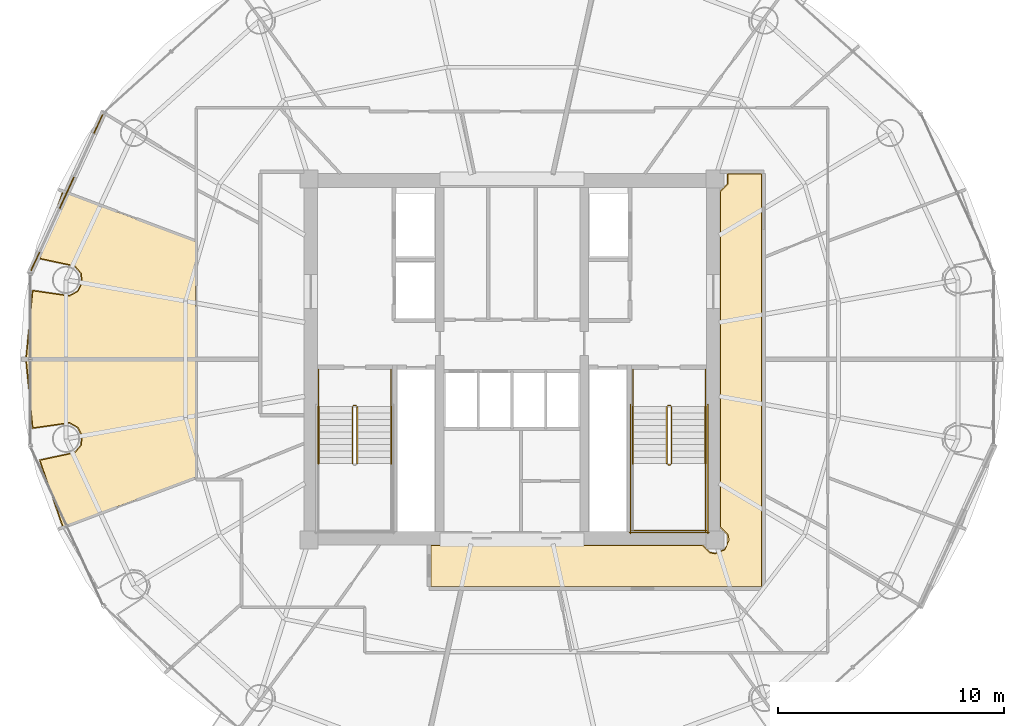
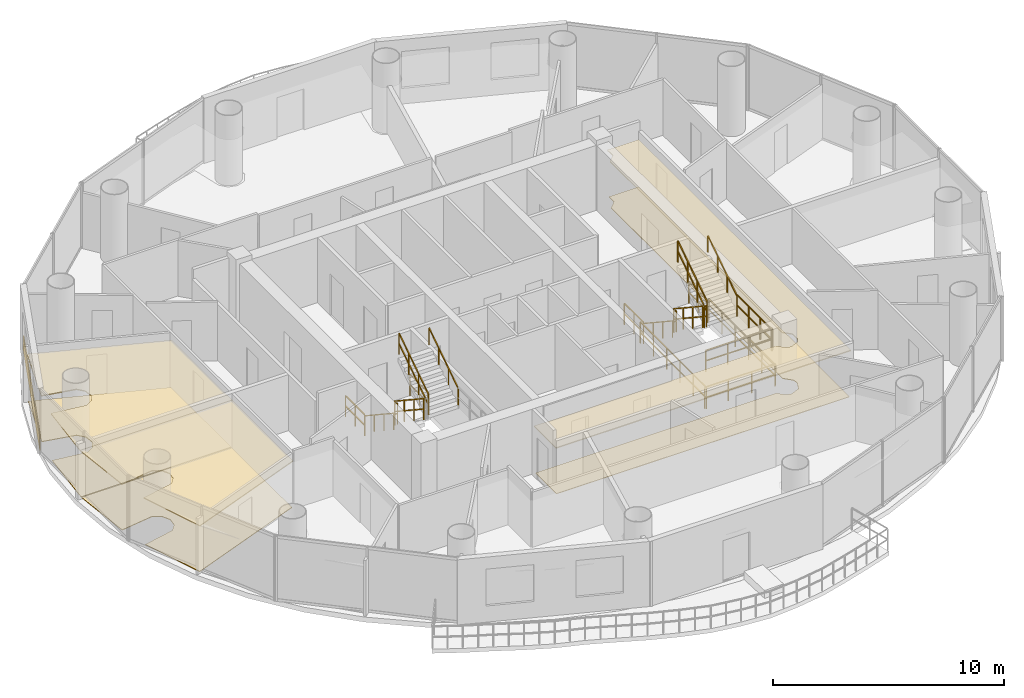
# One storey, part 25 of 26: 20 railings, 7 coverings.
"""IFC4 building model written with IfcOpenShell, lengths in metres."""

from ifc_helpers import new_model, si_unit, direction, frame, origin, origin_2d, place, context, subcontext, project, spatial, polyline, rectangle, outline, extrude, source, transform, mapped, material, layer, layer_set, type_object, element, save


model = new_model("IFC4")

# Units and contexts
model_context = context("Model", 3, precision=1e-05, world=origin(), true_north=direction((-0.2419218956, 0.970295726276)))
body_context = subcontext(model_context, "Body", "Model", "MODEL_VIEW")
ifc_project = project(units=[si_unit("LENGTHUNIT", "METRE"), si_unit("AREAUNIT", "SQUARE_METRE"), si_unit("VOLUMEUNIT", "CUBIC_METRE"), si_unit("PLANEANGLEUNIT", "RADIAN"), si_unit("MASSUNIT", "GRAM", prefix="KILO")], contexts=[model_context])

# Site, building, storey
site_placement = place(None, origin())
site = spatial("IfcSite", under=ifc_project, at=site_placement, CompositionType="ELEMENT")
building_placement = place(site_placement, origin())
building = spatial("IfcBuilding", under=site, at=building_placement, Name="Cobrevalo Terracotta Tower", CompositionType="ELEMENT")
storey_placement = place(building_placement, frame((0.0, 0.0, 220.800048828125)))
storey = spatial("IfcBuildingStorey", under=building, at=storey_placement, Name="L58", CompositionType="ELEMENT", Elevation=220.800048828125)

# Coverings
ifc_material_1 = material(Name="Engineered Brazilian hardwood flooring", Category="wood")
ifc_layer_1 = layer(ifc_material_1, 0.028076171875)
ifc_layer_set_1 = layer_set([ifc_layer_1], Name="Engineered Brazilian hardwood flooring")
covering_type_1 = type_object("IfcCoveringType", Name="Engineered Hardwood Suite Flooring 28", PredefinedType="FLOORING", material=ifc_layer_set_1)
covering_1_placement = place(storey_placement, origin())
element("IfcCovering", 1, at=covering_1_placement, inside=storey, type_object=covering_type_1, Name="Flat L58B Penthouse Family Lounge floor finish", PredefinedType="FLOORING", context=body_context, shape_type="SweptSolid", body=[
    extrude(outline(polyline([(23.985107421875, 32.024658203125), (23.985107421875, 26.820068359375), (16.4814453125, 26.820068359375), (16.7734375, 29.83056640625), (18.39599609375, 29.5986328125), (18.770751953125, 29.80859375), (18.9658203125, 30.191650390625), (18.9150390625, 30.6181640625), (18.635986328125, 30.94482421875), (17.09228515625, 31.277099609375), (18.114501953125, 34.221923828125), (23.985107421875, 32.024658203125)])), origin(), (0.0, 0.0, 1.0), 0.030029296875),
])
covering_2_placement = place(storey_placement, origin())
element("IfcCovering", 2, at=covering_2_placement, inside=storey, type_object=covering_type_1, Name="Flat L58C Living and Dining Room floor finish", PredefinedType="FLOORING", context=body_context, shape_type="SweptSolid", body=[
    extrude(outline(polyline([(18.114501953125, 19.3779296875), (17.09228515625, 22.322998046875), (18.635986328125, 22.655029296875), (18.9150390625, 22.981689453125), (18.9658203125, 23.408447265625), (18.770751953125, 23.791259765625), (18.39599609375, 24.00146484375), (16.7734375, 23.76953125), (16.4814453125, 26.780029296875), (23.985107421875, 26.780029296875), (23.985107421875, 21.575439453125), (18.114501953125, 19.3779296875)])), origin(), (0.0, 0.0, 1.0), 0.030029296875),
])
ifc_material_2 = material(Name="Honed terracotta and granite tile", Category="masonry")
ifc_layer_2 = layer(ifc_material_2, 0.034912109375)
ifc_layer_set_2 = layer_set([ifc_layer_2], Name="Honed terracotta and granite tile")
covering_type_2 = type_object("IfcCoveringType", Name="Honed Terracotta & Granite Interior Flooring 35", PredefinedType="FLOORING", material=ifc_layer_set_2)
covering_3_placement = place(storey_placement, origin())
element("IfcCovering", 3, at=covering_3_placement, inside=storey, type_object=covering_type_2, Name="L58 Residential Floor Corridor 1 floor finish", PredefinedType="FLOORING", context=body_context, shape_type="SweptSolid", body=[
    extrude(outline(polyline([(34.419921875, 18.554931640625), (46.431884765625, 18.554931640625), (46.7626953125, 18.226806640625), (47.0, 18.1796875), (47.438720703125, 18.361328125), (47.620361328125, 18.800048828125), (47.5732421875, 19.037353515625), (47.2451171875, 19.3681640625), (47.2451171875, 34.23193359375), (47.5732421875, 34.5625), (47.57958984375, 35.0048828125), (49.054931640625, 35.0048828125), (49.054931640625, 16.7451171875), (34.419921875, 16.7451171875), (34.419921875, 18.554931640625)])), origin(), (0.0, 0.0, 1.0), 0.030029296875),
])
ifc_material_3 = material(Name="Acoustic perforated gypsum ceiling", Category="gypsum")
ifc_layer_3 = layer(ifc_material_3, 0.050048828125)
ifc_layer_set_3 = layer_set([ifc_layer_3], Name="Acoustic perforated gypsum ceiling")
covering_type_3 = type_object("IfcCoveringType", Name="Perforated Acoustic Gypsum Ceiling 50", PredefinedType="CEILING", material=ifc_layer_set_3)
covering_4_placement = place(storey_placement, frame((0.0, 0.0, 2.445068359375)))
element("IfcCovering", 4, at=covering_4_placement, inside=storey, type_object=covering_type_3, Name="L58 Residential Floor Corridor 1 acoustic ceiling", PredefinedType="CEILING", context=body_context, shape_type="SweptSolid", body=[
    extrude(outline(polyline([(34.375, 18.60009765625), (46.4560546875, 18.60009765625), (46.780029296875, 18.269287109375), (47.0, 18.2255859375), (47.40625, 18.393798828125), (47.53076171875, 18.580078125), (47.53076171875, 19.019775390625), (47.199951171875, 19.343994140625), (47.199951171875, 34.255859375), (47.53076171875, 34.580078125), (47.524658203125, 35.050048828125), (49.10009765625, 35.050048828125), (49.10009765625, 16.699951171875), (34.375, 16.699951171875), (34.375, 18.60009765625)])), origin(), (0.0, 0.0, 1.0), 0.0498046875),
])
covering_5_placement = place(storey_placement, frame((0.0, 0.0, 2.445068359375)))
element("IfcCovering", 5, at=covering_5_placement, inside=storey, type_object=covering_type_3, Name="Flat L58B Penthouse Family Lounge acoustic ceiling", PredefinedType="CEILING", context=body_context, shape_type="SweptSolid", body=[
    extrude(outline(polyline([(24.030029296875, 32.055908203125), (24.030029296875, 26.77490234375), (16.43310546875, 26.77490234375), (16.73876953125, 29.88232421875), (18.386474609375, 29.642578125), (18.73828125, 29.83984375), (18.92138671875, 30.199462890625), (18.873779296875, 30.60009765625), (18.611572265625, 30.90673828125), (17.038330078125, 31.240966796875), (18.088134765625, 34.280029296875), (24.030029296875, 32.055908203125)])), origin(), (0.0, 0.0, 1.0), 0.0498046875),
])
covering_6_placement = place(storey_placement, frame((0.0, 0.0, 2.445068359375)))
element("IfcCovering", 6, at=covering_6_placement, inside=storey, type_object=covering_type_3, Name="Flat L58C Living and Dining Room acoustic ceiling", PredefinedType="CEILING", context=body_context, shape_type="SweptSolid", body=[
    extrude(outline(polyline([(18.088134765625, 19.320068359375), (17.038330078125, 22.359130859375), (18.611572265625, 22.693359375), (18.873779296875, 23.0), (18.92138671875, 23.400634765625), (18.73828125, 23.760009765625), (18.386474609375, 23.957275390625), (16.73876953125, 23.717529296875), (16.43310546875, 26.824951171875), (24.030029296875, 26.824951171875), (24.030029296875, 21.544189453125), (18.088134765625, 19.320068359375)])), origin(), (0.0, 0.0, 1.0), 0.0498046875),
])

# Railings
ifc_material_4 = material(Name="Brushed stainless steel", Category="steel")
railing_type_1 = type_object("IfcRailingType", Name="Stainless Steel Stair Handrail 900", PredefinedType="HANDRAIL", material=ifc_material_4)
railing_1_placement = place(storey_placement, frame((29.425048828125, 24.699951171875, 0.18505859375)))
element("IfcRailing", 7, at=railing_1_placement, inside=storey, type_object=railing_type_1, Name="L58 ST-1 stair handrail 1", PredefinedType="HANDRAIL", context=body_context, shape_type="SweptSolid", body=[
    extrude(rectangle(XDim=0.048095703125, YDim=0.048095703125, at=origin_2d()), frame((0.0, 0.0, 0.8759765625), z_axis=(0.0, -0.83436851402, 0.551207023552), x_axis=(1.0, 0.0, 0.0)), (0.0, 0.0, 1.0), 3.020263671875),
    extrude(rectangle(XDim=0.0419921875, YDim=0.0419921875, at=origin_2d()), origin(), (0.0, 0.0, 1.0), 0.851806640625),
    extrude(rectangle(XDim=0.0419921875, YDim=0.0419921875, at=origin_2d()), frame((0.0, -0.840087890625, 0.554931640625)), (0.0, 0.0, 1.0), 0.851806640625),
    extrude(rectangle(XDim=0.0419921875, YDim=0.0419921875, at=origin_2d()), frame((0.0, -1.679931640625, 1.10986328125)), (0.0, 0.0, 1.0), 0.851806640625),
    extrude(rectangle(XDim=0.0419921875, YDim=0.0419921875, at=origin_2d()), frame((0.0, -2.52001953125, 1.664794921875)), (0.0, 0.0, 1.0), 0.851806640625),
])
railing_2_placement = place(storey_placement, frame((32.64501953125, 22.179931640625, 2.034912109375)))
element("IfcRailing", 8, at=railing_2_placement, inside=storey, type_object=railing_type_1, Name="L58 ST-1 stair handrail 2", PredefinedType="HANDRAIL", context=body_context, shape_type="SweptSolid", body=[
    extrude(rectangle(XDim=0.048095703125, YDim=0.048095703125, at=origin_2d()), frame((0.0, 0.0, 0.8759765625), z_axis=(0.0, 0.834331337432, 0.55126329406), x_axis=(-1.0, 0.0, 0.0)), (0.0, 0.0, 1.0), 3.0205078125),
    extrude(rectangle(XDim=0.0419921875, YDim=0.0419921875, at=origin_2d()), origin(), (0.0, 0.0, 1.0), 0.851806640625),
    extrude(rectangle(XDim=0.0419921875, YDim=0.0419921875, at=origin_2d()), frame((0.0, 0.840087890625, 0.554931640625)), (0.0, 0.0, 1.0), 0.851806640625),
    extrude(rectangle(XDim=0.0419921875, YDim=0.0419921875, at=origin_2d()), frame((0.0, 1.679931640625, 1.110107421875)), (0.0, 0.0, 1.0), 0.851806640625),
    extrude(rectangle(XDim=0.0419921875, YDim=0.0419921875, at=origin_2d()), frame((0.0, 2.52001953125, 1.6650390625)), (0.0, 0.0, 1.0), 0.851806640625),
])
railing_3_placement = place(storey_placement, frame((43.35498046875, 24.699951171875, 0.18505859375)))
element("IfcRailing", 9, at=railing_3_placement, inside=storey, type_object=railing_type_1, Name="L58 ST-2 stair handrail 1", PredefinedType="HANDRAIL", context=body_context, shape_type="SweptSolid", body=[
    extrude(rectangle(XDim=0.048095703125, YDim=0.048095703125, at=origin_2d()), frame((0.0, 0.0, 0.8759765625), z_axis=(0.0, -0.83436851402, 0.551207023552), x_axis=(1.0, 0.0, 0.0)), (0.0, 0.0, 1.0), 3.020263671875),
    extrude(rectangle(XDim=0.0419921875, YDim=0.0419921875, at=origin_2d()), origin(), (0.0, 0.0, 1.0), 0.851806640625),
    extrude(rectangle(XDim=0.0419921875, YDim=0.0419921875, at=origin_2d()), frame((0.0, -0.840087890625, 0.554931640625)), (0.0, 0.0, 1.0), 0.851806640625),
    extrude(rectangle(XDim=0.0419921875, YDim=0.0419921875, at=origin_2d()), frame((0.0, -1.679931640625, 1.10986328125)), (0.0, 0.0, 1.0), 0.851806640625),
    extrude(rectangle(XDim=0.0419921875, YDim=0.0419921875, at=origin_2d()), frame((0.0, -2.52001953125, 1.664794921875)), (0.0, 0.0, 1.0), 0.851806640625),
])
railing_4_placement = place(storey_placement, frame((46.574951171875, 22.179931640625, 2.034912109375)))
element("IfcRailing", 10, at=railing_4_placement, inside=storey, type_object=railing_type_1, Name="L58 ST-2 stair handrail 2", PredefinedType="HANDRAIL", context=body_context, shape_type="SweptSolid", body=[
    extrude(rectangle(XDim=0.048095703125, YDim=0.048095703125, at=origin_2d()), frame((0.0, 0.0, 0.8759765625), z_axis=(0.0, 0.834331337432, 0.55126329406), x_axis=(-1.0, 0.0, 0.0)), (0.0, 0.0, 1.0), 3.0205078125),
    extrude(rectangle(XDim=0.0419921875, YDim=0.0419921875, at=origin_2d()), origin(), (0.0, 0.0, 1.0), 0.851806640625),
    extrude(rectangle(XDim=0.0419921875, YDim=0.0419921875, at=origin_2d()), frame((0.0, 0.840087890625, 0.554931640625)), (0.0, 0.0, 1.0), 0.851806640625),
    extrude(rectangle(XDim=0.0419921875, YDim=0.0419921875, at=origin_2d()), frame((0.0, 1.679931640625, 1.110107421875)), (0.0, 0.0, 1.0), 0.851806640625),
    extrude(rectangle(XDim=0.0419921875, YDim=0.0419921875, at=origin_2d()), frame((0.0, 2.52001953125, 1.6650390625)), (0.0, 0.0, 1.0), 0.851806640625),
])
ifc_material_5 = material(Name="Painted galvanized steel", Category="steel")
railing_type_2 = type_object("IfcRailingType", Name="Stair Well Guard Balustrade 1150", PredefinedType="GUARDRAIL", material=ifc_material_5)
railing_5_placement = place(storey_placement, frame((30.925048828125, 24.699951171875, 0.18505859375)))
element("IfcRailing", 11, at=railing_5_placement, inside=storey, type_object=railing_type_2, Name="L58 ST-1 stair guard 1", PredefinedType="GUARDRAIL", context=body_context, shape_type="SweptSolid", body=[
    extrude(rectangle(XDim=0.048095703125, YDim=0.048095703125, at=origin_2d()), frame((0.0, 0.0, 1.1259765625), z_axis=(0.0, -0.83436851402, 0.551207023552), x_axis=(1.0, 0.0, 0.0)), (0.0, 0.0, 1.0), 3.020263671875),
    extrude(rectangle(XDim=0.048095703125, YDim=0.048095703125, at=origin_2d()), frame((0.0, 0.0, 0.574951171875), z_axis=(0.0, -0.83436851402, 0.551207023552), x_axis=(1.0, 0.0, 0.0)), (0.0, 0.0, 1.0), 3.020263671875),
    extrude(rectangle(XDim=0.0419921875, YDim=0.0419921875, at=origin_2d()), origin(), (0.0, 0.0, 1.0), 1.101806640625),
    extrude(rectangle(XDim=0.0419921875, YDim=0.0419921875, at=origin_2d()), frame((0.0, -0.840087890625, 0.554931640625)), (0.0, 0.0, 1.0), 1.101806640625),
    extrude(rectangle(XDim=0.0419921875, YDim=0.0419921875, at=origin_2d()), frame((0.0, -1.679931640625, 1.10986328125)), (0.0, 0.0, 1.0), 1.101806640625),
    extrude(rectangle(XDim=0.0419921875, YDim=0.0419921875, at=origin_2d()), frame((0.0, -2.52001953125, 1.664794921875)), (0.0, 0.0, 1.0), 1.101806640625),
])
railing_6_placement = place(storey_placement, frame((31.14501953125, 22.179931640625, 2.034912109375)))
element("IfcRailing", 12, at=railing_6_placement, inside=storey, type_object=railing_type_2, Name="L58 ST-1 stair guard 6", PredefinedType="GUARDRAIL", context=body_context, shape_type="SweptSolid", body=[
    extrude(rectangle(XDim=0.048095703125, YDim=0.048095703125, at=origin_2d()), frame((0.0, 0.0, 1.1259765625), z_axis=(0.0, 0.834331337432, 0.55126329406), x_axis=(-1.0, 0.0, 0.0)), (0.0, 0.0, 1.0), 3.0205078125),
    extrude(rectangle(XDim=0.048095703125, YDim=0.048095703125, at=origin_2d()), frame((0.0, 0.0, 0.574951171875), z_axis=(0.0, 0.834331337432, 0.55126329406), x_axis=(-1.0, 0.0, 0.0)), (0.0, 0.0, 1.0), 3.0205078125),
    extrude(rectangle(XDim=0.0419921875, YDim=0.0419921875, at=origin_2d()), origin(), (0.0, 0.0, 1.0), 1.101806640625),
    extrude(rectangle(XDim=0.0419921875, YDim=0.0419921875, at=origin_2d()), frame((0.0, 0.840087890625, 0.554931640625)), (0.0, 0.0, 1.0), 1.101806640625),
    extrude(rectangle(XDim=0.0419921875, YDim=0.0419921875, at=origin_2d()), frame((0.0, 1.679931640625, 1.110107421875)), (0.0, 0.0, 1.0), 1.101806640625),
    extrude(rectangle(XDim=0.0419921875, YDim=0.0419921875, at=origin_2d()), frame((0.0, 2.52001953125, 1.6650390625)), (0.0, 0.0, 1.0), 1.101806640625),
])
railing_7_placement = place(storey_placement, frame((30.97509765625, 24.75, 0.0)))
element("IfcRailing", 13, at=railing_7_placement, inside=storey, type_object=railing_type_2, Name="L58 ST-1 stair guard 7", PredefinedType="GUARDRAIL", context=body_context, shape_type="SweptSolid", body=[
    extrude(rectangle(XDim=0.048095703125, YDim=0.048095703125, at=origin_2d()), frame((0.0, 0.0, 1.1259765625), z_axis=(1.0, 0.0, 0.0), x_axis=(0.0, 1.0, 0.0)), (0.0, 0.0, 1.0), 0.119873046875),
    extrude(rectangle(XDim=0.048095703125, YDim=0.048095703125, at=origin_2d()), frame((0.0, 0.0, 0.574951171875), z_axis=(1.0, 0.0, 0.0), x_axis=(0.0, 1.0, 0.0)), (0.0, 0.0, 1.0), 0.119873046875),
    extrude(rectangle(XDim=0.0419921875, YDim=0.0419921875, at=origin_2d()), origin(), (0.0, 0.0, 1.0), 1.101806640625),
    extrude(rectangle(XDim=0.0419921875, YDim=0.0419921875, at=origin_2d()), frame((0.119873046875, 0.0, 0.0)), (0.0, 0.0, 1.0), 1.101806640625),
])
for number, where, name in (
    (14, (29.425048828125, 26.35009765625, 0.0), "L58 ST-1 stair guard 8"),
    (15, (32.64501953125, 26.35009765625, 0.0), "L58 ST-1 stair guard 9"),
):
    element("IfcRailing", number, at=place(storey_placement, frame(where)), inside=storey, type_object=railing_type_2, Name=name, PredefinedType="GUARDRAIL", context=body_context, shape_type="SweptSolid", body=[
        extrude(rectangle(XDim=0.048095703125, YDim=0.048095703125, at=origin_2d()), frame((0.0, 0.0, 1.1259765625), z_axis=(0.0, -1.0, 0.0), x_axis=(1.0, 0.0, 0.0)), (0.0, 0.0, 1.0), 1.650146484375),
        extrude(rectangle(XDim=0.048095703125, YDim=0.048095703125, at=origin_2d()), frame((0.0, 0.0, 0.574951171875), z_axis=(0.0, -1.0, 0.0), x_axis=(1.0, 0.0, 0.0)), (0.0, 0.0, 1.0), 1.650146484375),
        extrude(rectangle(XDim=0.0419921875, YDim=0.0419921875, at=origin_2d()), origin(), (0.0, 0.0, 1.0), 1.101806640625),
        extrude(rectangle(XDim=0.0419921875, YDim=0.0419921875, at=origin_2d()), frame((0.0, -0.8251953125, 0.0)), (0.0, 0.0, 1.0), 1.101806640625),
        extrude(rectangle(XDim=0.0419921875, YDim=0.0419921875, at=origin_2d()), frame((0.0, -1.650146484375, 0.0)), (0.0, 0.0, 1.0), 1.101806640625),
    ])
railing_8_placement = place(storey_placement, frame((44.85498046875, 24.699951171875, 0.18505859375)))
element("IfcRailing", 16, at=railing_8_placement, inside=storey, type_object=railing_type_2, Name="L58 ST-2 stair guard 1", PredefinedType="GUARDRAIL", context=body_context, shape_type="SweptSolid", body=[
    extrude(rectangle(XDim=0.048095703125, YDim=0.048095703125, at=origin_2d()), frame((0.0, 0.0, 1.1259765625), z_axis=(0.0, -0.83436851402, 0.551207023552), x_axis=(1.0, 0.0, 0.0)), (0.0, 0.0, 1.0), 3.020263671875),
    extrude(rectangle(XDim=0.048095703125, YDim=0.048095703125, at=origin_2d()), frame((0.0, 0.0, 0.574951171875), z_axis=(0.0, -0.83436851402, 0.551207023552), x_axis=(1.0, 0.0, 0.0)), (0.0, 0.0, 1.0), 3.020263671875),
    extrude(rectangle(XDim=0.0419921875, YDim=0.0419921875, at=origin_2d()), origin(), (0.0, 0.0, 1.0), 1.101806640625),
    extrude(rectangle(XDim=0.0419921875, YDim=0.0419921875, at=origin_2d()), frame((0.0, -0.840087890625, 0.554931640625)), (0.0, 0.0, 1.0), 1.101806640625),
    extrude(rectangle(XDim=0.0419921875, YDim=0.0419921875, at=origin_2d()), frame((0.0, -1.679931640625, 1.10986328125)), (0.0, 0.0, 1.0), 1.101806640625),
    extrude(rectangle(XDim=0.0419921875, YDim=0.0419921875, at=origin_2d()), frame((0.0, -2.52001953125, 1.664794921875)), (0.0, 0.0, 1.0), 1.101806640625),
])
railing_9_placement = place(storey_placement, frame((44.905029296875, 22.1298828125, 1.849853515625)))
element("IfcRailing", 17, at=railing_9_placement, inside=storey, type_object=railing_type_2, Name="L58 ST-2 stair guard 2", PredefinedType="GUARDRAIL", context=body_context, shape_type="SweptSolid", body=[
    extrude(rectangle(XDim=0.048095703125, YDim=0.048095703125, at=origin_2d()), frame((0.0, 0.0, 1.1259765625), z_axis=(1.0, 0.0, 0.0), x_axis=(0.0, 1.0, 0.0)), (0.0, 0.0, 1.0), 0.119873046875),
    extrude(rectangle(XDim=0.048095703125, YDim=0.048095703125, at=origin_2d()), frame((0.0, 0.0, 0.574951171875), z_axis=(1.0, 0.0, 0.0), x_axis=(0.0, 1.0, 0.0)), (0.0, 0.0, 1.0), 0.119873046875),
    extrude(rectangle(XDim=0.0419921875, YDim=0.0419921875, at=origin_2d()), origin(), (0.0, 0.0, 1.0), 1.101806640625),
    extrude(rectangle(XDim=0.0419921875, YDim=0.0419921875, at=origin_2d()), frame((0.119873046875, 0.0, 0.0)), (0.0, 0.0, 1.0), 1.101806640625),
])
railing_10_placement = place(storey_placement, frame((46.574951171875, 22.179931640625, 1.849853515625)))
element("IfcRailing", 18, at=railing_10_placement, inside=storey, type_object=railing_type_2, Name="L58 ST-2 stair guard 4", PredefinedType="GUARDRAIL", context=body_context, shape_type="SweptSolid", body=[
    extrude(rectangle(XDim=0.048095703125, YDim=0.048095703125, at=origin_2d()), frame((0.0, 0.0, 1.1259765625), z_axis=(0.0, -1.0, 0.0), x_axis=(1.0, 0.0, 0.0)), (0.0, 0.0, 1.0), 3.0048828125),
    extrude(rectangle(XDim=0.048095703125, YDim=0.048095703125, at=origin_2d()), frame((0.0, 0.0, 0.574951171875), z_axis=(0.0, -1.0, 0.0), x_axis=(1.0, 0.0, 0.0)), (0.0, 0.0, 1.0), 3.0048828125),
    extrude(rectangle(XDim=0.0419921875, YDim=0.0419921875, at=origin_2d()), origin(), (0.0, 0.0, 1.0), 1.101806640625),
    extrude(rectangle(XDim=0.0419921875, YDim=0.0419921875, at=origin_2d()), frame((0.0, -1.001708984375, 0.0)), (0.0, 0.0, 1.0), 1.101806640625),
    extrude(rectangle(XDim=0.0419921875, YDim=0.0419921875, at=origin_2d()), frame((0.0, -2.003173828125, 0.0)), (0.0, 0.0, 1.0), 1.101806640625),
    extrude(rectangle(XDim=0.0419921875, YDim=0.0419921875, at=origin_2d()), frame((0.0, -3.0048828125, 0.0)), (0.0, 0.0, 1.0), 1.101806640625),
])
railing_11_placement = place(storey_placement, frame((43.304931640625, 19.22509765625, 1.849853515625)))
element("IfcRailing", 19, at=railing_11_placement, inside=storey, type_object=railing_type_2, Name="L58 ST-2 stair guard 5", PredefinedType="GUARDRAIL", context=body_context, shape_type="SweptSolid", body=[
    extrude(rectangle(XDim=0.048095703125, YDim=0.048095703125, at=origin_2d()), frame((0.0, 0.0, 1.1259765625), z_axis=(1.0, 0.0, 0.0), x_axis=(0.0, 1.0, 0.0)), (0.0, 0.0, 1.0), 3.320068359375),
    extrude(rectangle(XDim=0.048095703125, YDim=0.048095703125, at=origin_2d()), frame((0.0, 0.0, 0.574951171875), z_axis=(1.0, 0.0, 0.0), x_axis=(0.0, 1.0, 0.0)), (0.0, 0.0, 1.0), 3.320068359375),
    extrude(rectangle(XDim=0.0419921875, YDim=0.0419921875, at=origin_2d()), origin(), (0.0, 0.0, 1.0), 1.101806640625),
    extrude(rectangle(XDim=0.0419921875, YDim=0.0419921875, at=origin_2d()), frame((1.106689453125, 0.0, 0.0)), (0.0, 0.0, 1.0), 1.101806640625),
    extrude(rectangle(XDim=0.0419921875, YDim=0.0419921875, at=origin_2d()), frame((2.21337890625, 0.0, 0.0)), (0.0, 0.0, 1.0), 1.101806640625),
    extrude(rectangle(XDim=0.0419921875, YDim=0.0419921875, at=origin_2d()), frame((3.320068359375, 0.0, 0.0)), (0.0, 0.0, 1.0), 1.101806640625),
])
railing_12_placement = place(storey_placement, frame((45.074951171875, 22.179931640625, 2.034912109375)))
element("IfcRailing", 20, at=railing_12_placement, inside=storey, type_object=railing_type_2, Name="L58 ST-2 stair guard 6", PredefinedType="GUARDRAIL", context=body_context, shape_type="SweptSolid", body=[
    extrude(rectangle(XDim=0.048095703125, YDim=0.048095703125, at=origin_2d()), frame((0.0, 0.0, 1.1259765625), z_axis=(0.0, 0.834331337432, 0.55126329406), x_axis=(-1.0, 0.0, 0.0)), (0.0, 0.0, 1.0), 3.0205078125),
    extrude(rectangle(XDim=0.048095703125, YDim=0.048095703125, at=origin_2d()), frame((0.0, 0.0, 0.574951171875), z_axis=(0.0, 0.834331337432, 0.55126329406), x_axis=(-1.0, 0.0, 0.0)), (0.0, 0.0, 1.0), 3.0205078125),
    extrude(rectangle(XDim=0.0419921875, YDim=0.0419921875, at=origin_2d()), origin(), (0.0, 0.0, 1.0), 1.101806640625),
    extrude(rectangle(XDim=0.0419921875, YDim=0.0419921875, at=origin_2d()), frame((0.0, 0.840087890625, 0.554931640625)), (0.0, 0.0, 1.0), 1.101806640625),
    extrude(rectangle(XDim=0.0419921875, YDim=0.0419921875, at=origin_2d()), frame((0.0, 1.679931640625, 1.110107421875)), (0.0, 0.0, 1.0), 1.101806640625),
    extrude(rectangle(XDim=0.0419921875, YDim=0.0419921875, at=origin_2d()), frame((0.0, 2.52001953125, 1.6650390625)), (0.0, 0.0, 1.0), 1.101806640625),
])
railing_13_placement = place(storey_placement, frame((44.905029296875, 24.75, 0.0)))
element("IfcRailing", 21, at=railing_13_placement, inside=storey, type_object=railing_type_2, Name="L58 ST-2 stair guard 7", PredefinedType="GUARDRAIL", context=body_context, shape_type="SweptSolid", body=[
    extrude(rectangle(XDim=0.048095703125, YDim=0.048095703125, at=origin_2d()), frame((0.0, 0.0, 1.1259765625), z_axis=(1.0, 0.0, 0.0), x_axis=(0.0, 1.0, 0.0)), (0.0, 0.0, 1.0), 0.119873046875),
    extrude(rectangle(XDim=0.048095703125, YDim=0.048095703125, at=origin_2d()), frame((0.0, 0.0, 0.574951171875), z_axis=(1.0, 0.0, 0.0), x_axis=(0.0, 1.0, 0.0)), (0.0, 0.0, 1.0), 0.119873046875),
    extrude(rectangle(XDim=0.0419921875, YDim=0.0419921875, at=origin_2d()), origin(), (0.0, 0.0, 1.0), 1.101806640625),
    extrude(rectangle(XDim=0.0419921875, YDim=0.0419921875, at=origin_2d()), frame((0.119873046875, 0.0, 0.0)), (0.0, 0.0, 1.0), 1.101806640625),
])
for number, where, name in (
    (22, (43.35498046875, 26.35009765625, 0.0), "L58 ST-2 stair guard 8"),
    (23, (46.574951171875, 26.35009765625, 0.0), "L58 ST-2 stair guard 9"),
):
    element("IfcRailing", number, at=place(storey_placement, frame(where)), inside=storey, type_object=railing_type_2, Name=name, PredefinedType="GUARDRAIL", context=body_context, shape_type="SweptSolid", body=[
        extrude(rectangle(XDim=0.048095703125, YDim=0.048095703125, at=origin_2d()), frame((0.0, 0.0, 1.1259765625), z_axis=(0.0, -1.0, 0.0), x_axis=(1.0, 0.0, 0.0)), (0.0, 0.0, 1.0), 1.650146484375),
        extrude(rectangle(XDim=0.048095703125, YDim=0.048095703125, at=origin_2d()), frame((0.0, 0.0, 0.574951171875), z_axis=(0.0, -1.0, 0.0), x_axis=(1.0, 0.0, 0.0)), (0.0, 0.0, 1.0), 1.650146484375),
        extrude(rectangle(XDim=0.0419921875, YDim=0.0419921875, at=origin_2d()), origin(), (0.0, 0.0, 1.0), 1.101806640625),
        extrude(rectangle(XDim=0.0419921875, YDim=0.0419921875, at=origin_2d()), frame((0.0, -0.8251953125, 0.0)), (0.0, 0.0, 1.0), 1.101806640625),
        extrude(rectangle(XDim=0.0419921875, YDim=0.0419921875, at=origin_2d()), frame((0.0, -1.650146484375, 0.0)), (0.0, 0.0, 1.0), 1.101806640625),
    ])
for number, where, name in (
    (24, (43.2548828125, 24.800048828125, 0.0), "L58 ST-2 stair guard 10"),
    (25, (46.675048828125, 24.800048828125, 0.0), "L58 ST-2 stair guard 11"),
):
    element("IfcRailing", number, at=place(storey_placement, frame(where)), inside=storey, type_object=railing_type_2, Name=name, PredefinedType="GUARDRAIL", context=body_context, shape_type="SweptSolid", body=[
        extrude(rectangle(XDim=0.048095703125, YDim=0.048095703125, at=origin_2d()), frame((0.0, 0.0, 1.1259765625), z_axis=(0.0, -1.0, 0.0), x_axis=(1.0, 0.0, 0.0)), (0.0, 0.0, 1.0), 5.72509765625),
        extrude(rectangle(XDim=0.048095703125, YDim=0.048095703125, at=origin_2d()), frame((0.0, 0.0, 0.574951171875), z_axis=(0.0, -1.0, 0.0), x_axis=(1.0, 0.0, 0.0)), (0.0, 0.0, 1.0), 5.72509765625),
        extrude(rectangle(XDim=0.0419921875, YDim=0.0419921875, at=origin_2d()), origin(), (0.0, 0.0, 1.0), 1.101806640625),
        extrude(rectangle(XDim=0.0419921875, YDim=0.0419921875, at=origin_2d()), frame((0.0, -1.14501953125, 0.0)), (0.0, 0.0, 1.0), 1.101806640625),
        extrude(rectangle(XDim=0.0419921875, YDim=0.0419921875, at=origin_2d()), frame((0.0, -2.2900390625, 0.0)), (0.0, 0.0, 1.0), 1.101806640625),
        extrude(rectangle(XDim=0.0419921875, YDim=0.0419921875, at=origin_2d()), frame((0.0, -3.43505859375, 0.0)), (0.0, 0.0, 1.0), 1.101806640625),
        extrude(rectangle(XDim=0.0419921875, YDim=0.0419921875, at=origin_2d()), frame((0.0, -4.580078125, 0.0)), (0.0, 0.0, 1.0), 1.101806640625),
        extrude(rectangle(XDim=0.0419921875, YDim=0.0419921875, at=origin_2d()), frame((0.0, -5.72509765625, 0.0)), (0.0, 0.0, 1.0), 1.101806640625),
    ])
railing_14_placement = place(storey_placement, frame((43.205078125, 19.125, 0.0)))
element("IfcRailing", 26, at=railing_14_placement, inside=storey, type_object=railing_type_2, Name="L58 ST-2 stair guard 12", PredefinedType="GUARDRAIL", context=body_context, shape_type="SweptSolid", body=[
    extrude(rectangle(XDim=0.048095703125, YDim=0.048095703125, at=origin_2d()), frame((0.0, 0.0, 1.1259765625), z_axis=(1.0, 0.0, 0.0), x_axis=(0.0, 1.0, 0.0)), (0.0, 0.0, 1.0), 3.52001953125),
    extrude(rectangle(XDim=0.048095703125, YDim=0.048095703125, at=origin_2d()), frame((0.0, 0.0, 0.574951171875), z_axis=(1.0, 0.0, 0.0), x_axis=(0.0, 1.0, 0.0)), (0.0, 0.0, 1.0), 3.52001953125),
    extrude(rectangle(XDim=0.0419921875, YDim=0.0419921875, at=origin_2d()), origin(), (0.0, 0.0, 1.0), 1.101806640625),
    extrude(rectangle(XDim=0.0419921875, YDim=0.0419921875, at=origin_2d()), frame((1.17333984375, 0.0, 0.0)), (0.0, 0.0, 1.0), 1.101806640625),
    extrude(rectangle(XDim=0.0419921875, YDim=0.0419921875, at=origin_2d()), frame((2.3466796875, 0.0, 0.0)), (0.0, 0.0, 1.0), 1.101806640625),
    extrude(rectangle(XDim=0.0419921875, YDim=0.0419921875, at=origin_2d()), frame((3.52001953125, 0.0, 0.0)), (0.0, 0.0, 1.0), 1.101806640625),
])

# Covering
ifc_material_6 = material(Name="Glazed terracotta facade cladding tile", Category="masonry")
ifc_layer_4 = layer(ifc_material_6, 0.044921875)
ifc_layer_set_4 = layer_set([ifc_layer_4], Name="Glazed terracotta facade cladding tile")
covering_type_4 = type_object("IfcCoveringType", Name="Architectural terracotta rainscreen spandrel cladding 45 mm", PredefinedType="CLADDING", material=ifc_layer_set_4)
shared_shape = source(origin(), body_context, "Body", "SweptSolid", [
    extrude(rectangle(XDim=7.60009765625, YDim=0.044921875, at=origin_2d()), origin(), (0.0, 0.0, 1.0), 0.760009765625),
])
covering_7_placement = place(storey_placement, frame((18.273681640625, 34.182861328125, 0.0400390625), z_axis=(0.0, 0.0, 1.0), x_axis=(-0.416731425355, -0.909029657999, 0.0)))
element("IfcCovering", 27, at=covering_7_placement, inside=storey, type_object=covering_type_4, Name="L58 terracotta spandrel cladding S07", PredefinedType="CLADDING", context=body_context, shape_type="MappedRepresentation", body=[
    mapped(shared_shape, transform((0.0, 0.0, 0.0), scale=1.0)),
])

save(model, "model.ifc")
